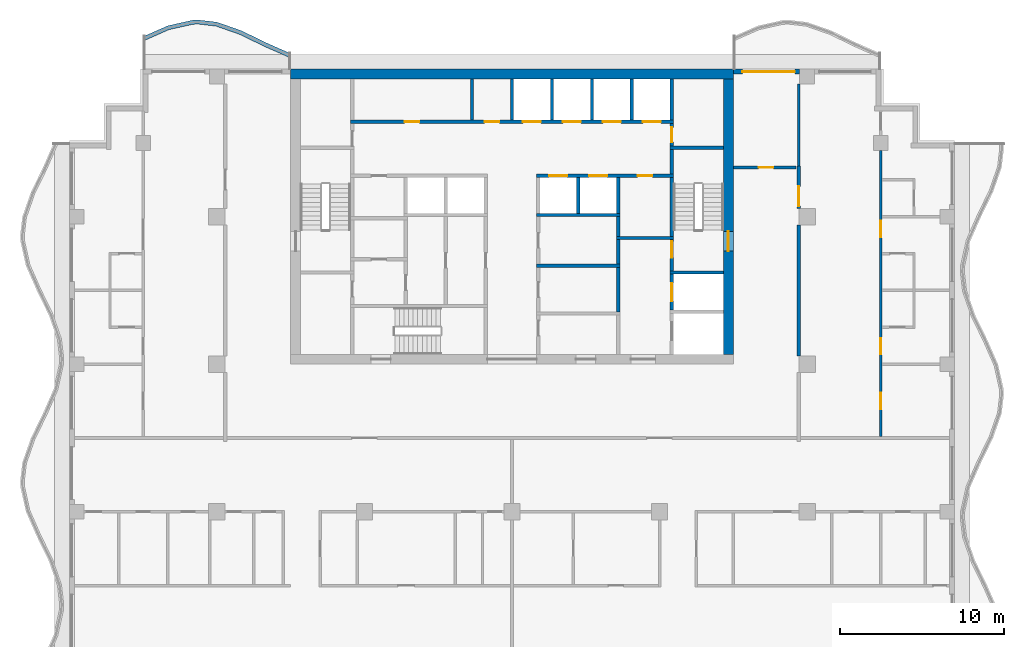
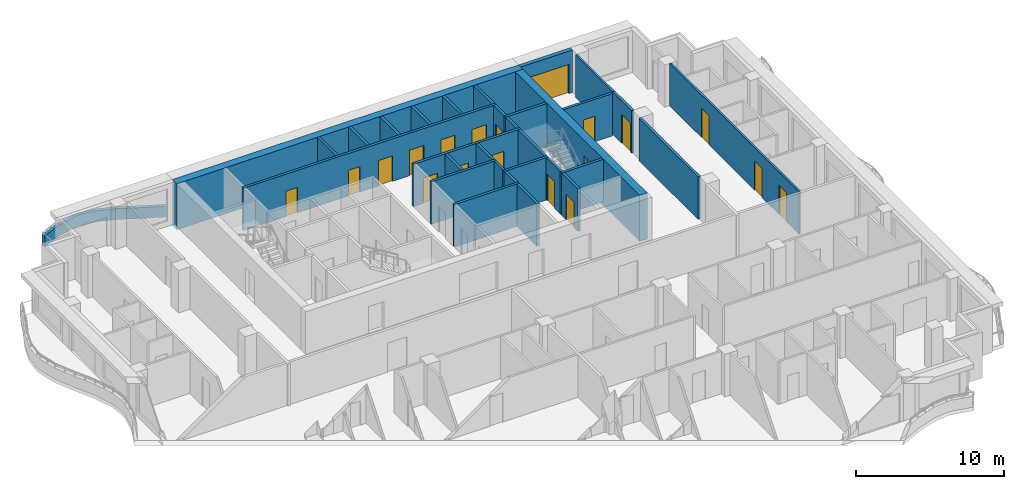
# One storey, part 6 of 11: 32 walls, 19 doors, 19 openings.
"""IFC4 building model written with IfcOpenShell, lengths in metres."""

from ifc_helpers import new_model, si_unit, direction, frame, frame_2d, origin, place, context, subcontext, project, spatial, polyline, rectangle, outline, extrude, material, layer, layer_set, type_object, element, fill, save


model = new_model("IFC4")

# Units and contexts
model_context = context("Model", 3, precision=1e-05, world=origin(), true_north=direction((0.0, 1.0)))
body_context = subcontext(model_context, "Body", "Model", "MODEL_VIEW")
ifc_project = project(units=[si_unit("LENGTHUNIT", "METRE"), si_unit("AREAUNIT", "SQUARE_METRE"), si_unit("VOLUMEUNIT", "CUBIC_METRE"), si_unit("PLANEANGLEUNIT", "RADIAN"), si_unit("MASSUNIT", "GRAM", prefix="KILO")], contexts=[model_context])

# Site, building, storey
site_placement = place(None, origin())
site = spatial("IfcSite", under=ifc_project, at=site_placement, CompositionType="ELEMENT")
building_placement = place(site_placement, origin())
building = spatial("IfcBuilding", under=site, at=building_placement, Name="Orbiselva Terraces", CompositionType="ELEMENT")
storey_placement = place(building_placement, frame((0.0, 0.0, 238.8)))
storey = spatial("IfcBuildingStorey", under=building, at=storey_placement, Name="L60", CompositionType="ELEMENT", Elevation=238.8)

# Wall, opening, door
ifc_material_1 = material(Name="Concrete C80/95", Category="concrete")
ifc_layer_1 = layer(ifc_material_1, 0.6)
ifc_layer_set_1 = layer_set([ifc_layer_1], Name="Concrete C80/95")
wall_type_1 = type_object("IfcWallType", Name="CORE WALL 600", PredefinedType="SHEAR", material=ifc_layer_set_1)
wall_1_placement = place(storey_placement, frame((13.2, 5.1, -0.3), z_axis=(0.0, 0.0, 1.0), x_axis=(0.0, 1.0, 0.0)))
wall_1 = element("IfcWall", 1, at=wall_1_placement, inside=storey, type_object=wall_type_1, Name="Core wall L60 east", PredefinedType="SHEAR", context=body_context, shape_type="SweptSolid", body=[
    extrude(rectangle(XDim=16.8, YDim=0.6, at=frame_2d((8.4, 0.0))), origin(), (0.0, 0.0, 1.0), 3.8),
])
opening_1_placement = place(wall_1_placement, frame((6.3, 0.0, 0.3)))
opening_1 = element("IfcOpeningElement", 2, at=opening_1_placement, cuts=wall_1, Name="Opening DS1200", PredefinedType="OPENING", context=body_context, shape_type="SweptSolid", body=[
    extrude(rectangle(XDim=1.2, YDim=2.2, at=frame_2d((0.6, 1.1))), frame((0.0, 0.31, 0.0), z_axis=(0.0, -1.0, 0.0), x_axis=(1.0, 0.0, 0.0)), (0.0, 0.0, 1.0), 0.62),
])
ifc_material_2 = material(Name="Steel fire door", Category="steel")
door_type_1 = type_object("IfcDoorType", Name="STAIR DOOR 1200", OperationType="NOTDEFINED", PredefinedType="DOOR", material=ifc_material_2)
door_1_placement = place(opening_1_placement, frame((1.2, 0.0, 0.0), z_axis=(0.0, 0.0, 1.0), x_axis=(-1.0, 0.0, 0.0)))
door_1 = element("IfcDoor", 3, at=door_1_placement, inside=storey, type_object=door_type_1, Name="L60 EXIT STAIR S2 door", OperationType="SINGLE_SWING_LEFT", OverallHeight=2.2, OverallWidth=1.2, PredefinedType="DOOR", context=body_context, shape_type="SweptSolid", body=[
    extrude(rectangle(XDim=1.2, YDim=2.2, at=frame_2d((0.6, 1.1))), frame((0.0, 0.025, 0.0), z_axis=(0.0, -1.0, 0.0), x_axis=(1.0, 0.0, 0.0)), (0.0, 0.0, 1.0), 0.05),
])
fill(opening_1, door_1)

# Walls
ifc_layer_2 = layer(ifc_material_1, 0.6)
ifc_layer_set_2 = layer_set([ifc_layer_2], Name="Concrete C80/95")
wall_type_2 = type_object("IfcWallType", Name="CORE WALL 600 EXTERNAL", PredefinedType="SHEAR", material=ifc_layer_set_2)
wall_2_placement = place(storey_placement, frame((13.5, 22.2, -0.3), z_axis=(0.0, 0.0, 1.0), x_axis=(-1.0, 0.0, 0.0)))
element("IfcWall", 4, at=wall_2_placement, inside=storey, type_object=wall_type_2, Name="Core wall L60 north", PredefinedType="SHEAR", context=body_context, shape_type="SweptSolid", body=[
    extrude(rectangle(XDim=27.0, YDim=0.6, at=frame_2d((13.5, 0.0))), origin(), (0.0, 0.0, 1.0), 3.8),
])
ifc_material_3 = material(Name="Masonry blockwork", Category="masonry")
ifc_layer_3 = layer(ifc_material_3, 0.2)
ifc_layer_set_3 = layer_set([ifc_layer_3], Name="Masonry blockwork")
wall_type_3 = type_object("IfcWallType", Name="CORE-WALL-PARTITION-200", PredefinedType="PARTITIONING", material=ifc_layer_set_3)
wall_3_placement = place(storey_placement, frame((-2.4375, 19.4, 0.0), z_axis=(0.0, 0.0, 1.0), x_axis=(0.0, 1.0, 0.0)))
element("IfcWall", 5, at=wall_3_placement, inside=storey, type_object=wall_type_3, Name="L60 core wall 22", PredefinedType="PARTITIONING", context=body_context, shape_type="SweptSolid", body=[
    extrude(rectangle(XDim=2.5, YDim=0.2, at=frame_2d((1.25, 0.0))), origin(), (0.0, 0.0, 1.0), 3.5),
])
wall_4_placement = place(storey_placement, frame((6.475, 12.3, 0.0), z_axis=(0.0, 0.0, 1.0), x_axis=(0.0, 1.0, 0.0)))
element("IfcWall", 6, at=wall_4_placement, inside=storey, type_object=wall_type_3, Name="L60 core wall 42", PredefinedType="PARTITIONING", context=body_context, shape_type="SweptSolid", body=[
    extrude(rectangle(XDim=1.2, YDim=0.2, at=frame_2d((0.6, 0.0))), origin(), (0.0, 0.0, 1.0), 3.5),
])

# Wall, opening, door
wall_5_placement = place(storey_placement, frame((9.75, 19.2, 0.0), z_axis=(0.0, 0.0, 1.0), x_axis=(0.0, -1.0, 0.0)))
wall_5 = element("IfcWall", 7, at=wall_5_placement, inside=storey, type_object=wall_type_3, Name="L60 core wall 53", PredefinedType="PARTITIONING", context=body_context, shape_type="SweptSolid", body=[
    extrude(rectangle(XDim=1.4, YDim=0.2, at=frame_2d((0.7, 0.0))), origin(), (0.0, 0.0, 1.0), 3.5),
])
opening_2_placement = place(wall_5_placement, frame((0.25, 0.0, 0.0)))
opening_2 = element("IfcOpeningElement", 8, at=opening_2_placement, cuts=wall_5, Name="Opening DR900", PredefinedType="OPENING", context=body_context, shape_type="SweptSolid", body=[
    extrude(rectangle(XDim=0.9, YDim=2.1, at=frame_2d((0.45, 1.05))), frame((0.0, 0.11, 0.0), z_axis=(0.0, -1.0, 0.0), x_axis=(1.0, 0.0, 0.0)), (0.0, 0.0, 1.0), 0.22),
])
door_type_2 = type_object("IfcDoorType", Name="ROOM DOOR 900", OperationType="NOTDEFINED", PredefinedType="DOOR", material=ifc_material_2)
door_2_placement = place(opening_2_placement, origin())
door_2 = element("IfcDoor", 9, at=door_2_placement, inside=storey, type_object=door_type_2, Name="L60 ELECTRICAL RISER ROOM door", OperationType="SINGLE_SWING_RIGHT", OverallHeight=2.1, OverallWidth=0.9, PredefinedType="DOOR", context=body_context, shape_type="SweptSolid", body=[
    extrude(rectangle(XDim=0.9, YDim=2.1, at=frame_2d((0.45, 1.05))), frame((0.0, 0.025, 0.0), z_axis=(0.0, -1.0, 0.0), x_axis=(1.0, 0.0, 0.0)), (0.0, 0.0, 1.0), 0.05),
])
fill(opening_2, door_2)

# Walls
ifc_material_4 = material(Name="Concrete C40/50", Category="concrete")
ifc_layer_4 = layer(ifc_material_4, 0.2)
ifc_layer_set_4 = layer_set([ifc_layer_4], Name="Concrete C40/50")
wall_type_4 = type_object("IfcWallType", Name="CORE-WALL-SHAFT-200", PredefinedType="PARTITIONING", material=ifc_layer_set_4)
for number, where, z_axis, x_axis, name in (
    (10, (0.0, 19.4, 0.0), (0.0, 0.0, 1.0), (0.0, 1.0, 0.0), "L60 core wall 26"),
    (11, (2.4375, 19.4, 0.0), (0.0, 0.0, 1.0), (0.0, 1.0, 0.0), "L60 core wall 35"),
):
    element("IfcWall", number, at=place(storey_placement, frame(where, z_axis=z_axis, x_axis=x_axis)), inside=storey, type_object=wall_type_4, Name=name, PredefinedType="PARTITIONING", context=body_context, shape_type="SweptSolid", body=[
        extrude(rectangle(XDim=2.5, YDim=0.2, at=frame_2d((1.25, 0.0))), origin(), (0.0, 0.0, 1.0), 3.5),
    ])
wall_6_placement = place(storey_placement, frame((4.0375, 13.7, 0.0), z_axis=(0.0, 0.0, 1.0), x_axis=(0.0, 1.0, 0.0)))
element("IfcWall", 12, at=wall_6_placement, inside=storey, type_object=wall_type_4, Name="L60 core wall 36", PredefinedType="PARTITIONING", context=body_context, shape_type="SweptSolid", body=[
    extrude(rectangle(XDim=2.2, YDim=0.2, at=frame_2d((1.1, 0.0))), origin(), (0.0, 0.0, 1.0), 3.5),
])
wall_7_placement = place(storey_placement, frame((4.875, 19.4, 0.0), z_axis=(0.0, 0.0, 1.0), x_axis=(0.0, 1.0, 0.0)))
element("IfcWall", 13, at=wall_7_placement, inside=storey, type_object=wall_type_4, Name="L60 core wall 37", PredefinedType="PARTITIONING", context=body_context, shape_type="SweptSolid", body=[
    extrude(rectangle(XDim=2.5, YDim=0.2, at=frame_2d((1.25, 0.0))), origin(), (0.0, 0.0, 1.0), 3.5),
])
wall_8_placement = place(storey_placement, frame((6.475, 13.7, 0.0), z_axis=(0.0, 0.0, 1.0), x_axis=(0.0, 1.0, 0.0)))
element("IfcWall", 14, at=wall_8_placement, inside=storey, type_object=wall_type_4, Name="L60 core wall 43", PredefinedType="PARTITIONING", context=body_context, shape_type="SweptSolid", body=[
    extrude(rectangle(XDim=2.2, YDim=0.2, at=frame_2d((1.1, 0.0))), origin(), (0.0, 0.0, 1.0), 3.5),
])
for number, where, z_axis, x_axis, name in (
    (15, (7.3125, 19.4, 0.0), (0.0, 0.0, 1.0), (0.0, 1.0, 0.0), "L60 core wall 44"),
    (16, (9.75, 19.4, 0.0), (0.0, 0.0, 1.0), (0.0, 1.0, 0.0), "L60 core wall 54"),
):
    element("IfcWall", number, at=place(storey_placement, frame(where, z_axis=z_axis, x_axis=x_axis)), inside=storey, type_object=wall_type_4, Name=name, PredefinedType="PARTITIONING", context=body_context, shape_type="SweptSolid", body=[
        extrude(rectangle(XDim=2.5, YDim=0.2, at=frame_2d((1.25, 0.0))), origin(), (0.0, 0.0, 1.0), 3.5),
    ])

# Wall, openings, doors
ifc_material_5 = material(Name="Concrete C60/75", Category="concrete")
ifc_layer_5 = layer(ifc_material_5, 0.2)
ifc_layer_set_5 = layer_set([ifc_layer_5], Name="Concrete C60/75")
wall_type_5 = type_object("IfcWallType", Name="CORE-WALL-SHEAR-200", PredefinedType="SHEAR", material=ifc_layer_set_5)
wall_9_placement = place(storey_placement, frame((-9.85, 19.3, 0.0), z_axis=(0.0, 0.0, 1.0), x_axis=(1.0, 0.0, 0.0)))
wall_9 = element("IfcWall", 17, at=wall_9_placement, inside=storey, type_object=wall_type_5, Name="L60 core wall 14", PredefinedType="SHEAR", context=body_context, shape_type="SweptSolid", body=[
    extrude(rectangle(XDim=19.7, YDim=0.2, at=frame_2d((9.85, 0.0))), origin(), (0.0, 0.0, 1.0), 3.5),
])
opening_3_placement = place(wall_9_placement, frame((10.51875, 0.0, 0.0)))
opening_3 = element("IfcOpeningElement", 18, at=opening_3_placement, cuts=wall_9, Name="Opening LD-HR1", PredefinedType="OPENING", context=body_context, shape_type="SweptSolid", body=[
    extrude(rectangle(XDim=1.1, YDim=2.1, at=frame_2d((0.55, 1.05))), frame((0.0, 0.11, 0.0), z_axis=(0.0, -1.0, 0.0), x_axis=(1.0, 0.0, 0.0)), (0.0, 0.0, 1.0), 0.22),
])
opening_4_placement = place(wall_9_placement, frame((12.95625, 0.0, 0.0)))
opening_4 = element("IfcOpeningElement", 19, at=opening_4_placement, cuts=wall_9, Name="Opening LD-HR2", PredefinedType="OPENING", context=body_context, shape_type="SweptSolid", body=[
    extrude(rectangle(XDim=1.1, YDim=2.1, at=frame_2d((0.55, 1.05))), frame((0.0, 0.11, 0.0), z_axis=(0.0, -1.0, 0.0), x_axis=(1.0, 0.0, 0.0)), (0.0, 0.0, 1.0), 0.22),
])
opening_5_placement = place(wall_9_placement, frame((15.39375, 0.0, 0.0)))
opening_5 = element("IfcOpeningElement", 20, at=opening_5_placement, cuts=wall_9, Name="Opening LD-HR3", PredefinedType="OPENING", context=body_context, shape_type="SweptSolid", body=[
    extrude(rectangle(XDim=1.1, YDim=2.1, at=frame_2d((0.55, 1.05))), frame((0.0, 0.11, 0.0), z_axis=(0.0, -1.0, 0.0), x_axis=(1.0, 0.0, 0.0)), (0.0, 0.0, 1.0), 0.22),
])
opening_6_placement = place(wall_9_placement, frame((17.83125, 0.0, 0.0)))
opening_6 = element("IfcOpeningElement", 21, at=opening_6_placement, cuts=wall_9, Name="Opening LD-HR4", PredefinedType="OPENING", context=body_context, shape_type="SweptSolid", body=[
    extrude(rectangle(XDim=1.1, YDim=2.1, at=frame_2d((0.55, 1.05))), frame((0.0, 0.11, 0.0), z_axis=(0.0, -1.0, 0.0), x_axis=(1.0, 0.0, 0.0)), (0.0, 0.0, 1.0), 0.22),
])
opening_7_placement = place(wall_9_placement, frame((3.3062, 0.0, 0.0)))
opening_7 = element("IfcOpeningElement", 22, at=opening_7_placement, cuts=wall_9, Name="Opening DR900", PredefinedType="OPENING", context=body_context, shape_type="SweptSolid", body=[
    extrude(rectangle(XDim=0.9, YDim=2.1, at=frame_2d((0.45, 1.05))), frame((0.0, 0.11, 0.0), z_axis=(0.0, -1.0, 0.0), x_axis=(1.0, 0.0, 0.0)), (0.0, 0.0, 1.0), 0.22),
])
opening_8_placement = place(wall_9_placement, frame((8.1812, 0.0, 0.0)))
opening_8 = element("IfcOpeningElement", 23, at=opening_8_placement, cuts=wall_9, Name="Opening DR900", PredefinedType="OPENING", context=body_context, shape_type="SweptSolid", body=[
    extrude(rectangle(XDim=0.9, YDim=2.1, at=frame_2d((0.45, 1.05))), frame((0.0, 0.11, 0.0), z_axis=(0.0, -1.0, 0.0), x_axis=(1.0, 0.0, 0.0)), (0.0, 0.0, 1.0), 0.22),
])
ifc_material_6 = material(Name="Stainless steel landing door", Category="steel")
door_type_3 = type_object("IfcDoorType", Name="LANDING DOOR 1100", OperationType="SLIDING_TO_LEFT", PredefinedType="DOOR", material=ifc_material_6)
door_3_placement = place(opening_3_placement, origin())
door_3 = element("IfcDoor", 24, at=door_3_placement, inside=storey, type_object=door_type_3, Name="L60 landing door HR1", OperationType="SLIDING_TO_RIGHT", OverallHeight=2.1, OverallWidth=1.1, PredefinedType="DOOR", context=body_context, shape_type="SweptSolid", body=[
    extrude(rectangle(XDim=1.1, YDim=2.1, at=frame_2d((0.55, 1.05))), frame((0.0, 0.025, 0.0), z_axis=(0.0, -1.0, 0.0), x_axis=(1.0, 0.0, 0.0)), (0.0, 0.0, 1.0), 0.05),
])
fill(opening_3, door_3)
door_4_placement = place(opening_4_placement, origin())
door_4 = element("IfcDoor", 25, at=door_4_placement, inside=storey, type_object=door_type_3, Name="L60 landing door HR2", OperationType="SLIDING_TO_RIGHT", OverallHeight=2.1, OverallWidth=1.1, PredefinedType="DOOR", context=body_context, shape_type="SweptSolid", body=[
    extrude(rectangle(XDim=1.1, YDim=2.1, at=frame_2d((0.55, 1.05))), frame((0.0, 0.025, 0.0), z_axis=(0.0, -1.0, 0.0), x_axis=(1.0, 0.0, 0.0)), (0.0, 0.0, 1.0), 0.05),
])
fill(opening_4, door_4)
door_5_placement = place(opening_5_placement, origin())
door_5 = element("IfcDoor", 26, at=door_5_placement, inside=storey, type_object=door_type_3, Name="L60 landing door HR3", OperationType="SLIDING_TO_RIGHT", OverallHeight=2.1, OverallWidth=1.1, PredefinedType="DOOR", context=body_context, shape_type="SweptSolid", body=[
    extrude(rectangle(XDim=1.1, YDim=2.1, at=frame_2d((0.55, 1.05))), frame((0.0, 0.025, 0.0), z_axis=(0.0, -1.0, 0.0), x_axis=(1.0, 0.0, 0.0)), (0.0, 0.0, 1.0), 0.05),
])
fill(opening_5, door_5)
door_6_placement = place(opening_6_placement, origin())
door_6 = element("IfcDoor", 27, at=door_6_placement, inside=storey, type_object=door_type_3, Name="L60 landing door HR4", OperationType="SLIDING_TO_RIGHT", OverallHeight=2.1, OverallWidth=1.1, PredefinedType="DOOR", context=body_context, shape_type="SweptSolid", body=[
    extrude(rectangle(XDim=1.1, YDim=2.1, at=frame_2d((0.55, 1.05))), frame((0.0, 0.025, 0.0), z_axis=(0.0, -1.0, 0.0), x_axis=(1.0, 0.0, 0.0)), (0.0, 0.0, 1.0), 0.05),
])
fill(opening_6, door_6)
door_7_placement = place(opening_7_placement, origin())
door_7 = element("IfcDoor", 28, at=door_7_placement, inside=storey, type_object=door_type_2, Name="L60 SERVICE LOUNGE door", OperationType="SINGLE_SWING_LEFT", OverallHeight=2.1, OverallWidth=0.9, PredefinedType="DOOR", context=body_context, shape_type="SweptSolid", body=[
    extrude(rectangle(XDim=0.9, YDim=2.1, at=frame_2d((0.45, 1.05))), frame((0.0, 0.025, 0.0), z_axis=(0.0, -1.0, 0.0), x_axis=(1.0, 0.0, 0.0)), (0.0, 0.0, 1.0), 0.05),
])
fill(opening_7, door_7)
door_8_placement = place(opening_8_placement, origin())
door_8 = element("IfcDoor", 29, at=door_8_placement, inside=storey, type_object=door_type_2, Name="L60 STAFF WC door", OperationType="SINGLE_SWING_LEFT", OverallHeight=2.1, OverallWidth=0.9, PredefinedType="DOOR", context=body_context, shape_type="SweptSolid", body=[
    extrude(rectangle(XDim=0.9, YDim=2.1, at=frame_2d((0.45, 1.05))), frame((0.0, 0.025, 0.0), z_axis=(0.0, -1.0, 0.0), x_axis=(1.0, 0.0, 0.0)), (0.0, 0.0, 1.0), 0.05),
])
fill(opening_8, door_8)

# Walls
for number, where, z_axis, x_axis, name in (
    (30, (1.5, 10.5, 0.0), (0.0, 0.0, 1.0), (1.0, 0.0, 0.0), "L60 core wall 30"),
    (31, (1.5, 13.6, 0.0), (0.0, 0.0, 1.0), (1.0, 0.0, 0.0), "L60 core wall 32"),
):
    element("IfcWall", number, at=place(storey_placement, frame(where, z_axis=z_axis, x_axis=x_axis)), inside=storey, type_object=wall_type_5, Name=name, PredefinedType="SHEAR", context=body_context, shape_type="SweptSolid", body=[
        extrude(rectangle(XDim=5.075, YDim=0.2, at=frame_2d((2.5375, 0.0))), origin(), (0.0, 0.0, 1.0), 3.5),
    ])

# Wall, openings, doors
wall_10_placement = place(storey_placement, frame((9.85, 16.0, 0.0), z_axis=(0.0, 0.0, 1.0), x_axis=(-1.0, 0.0, 0.0)))
wall_10 = element("IfcWall", 32, at=wall_10_placement, inside=storey, type_object=wall_type_5, Name="L60 core wall 34", PredefinedType="SHEAR", context=body_context, shape_type="SweptSolid", body=[
    extrude(rectangle(XDim=8.35, YDim=0.2, at=frame_2d((4.175, 0.0))), origin(), (0.0, 0.0, 1.0), 3.5),
])
opening_9_placement = place(wall_10_placement, frame((6.48125, 0.0, 0.0)))
opening_9 = element("IfcOpeningElement", 33, at=opening_9_placement, cuts=wall_10, Name="Opening LD-HR5", PredefinedType="OPENING", context=body_context, shape_type="SweptSolid", body=[
    extrude(rectangle(XDim=1.1, YDim=2.1, at=frame_2d((0.55, 1.05))), frame((0.0, 0.11, 0.0), z_axis=(0.0, -1.0, 0.0), x_axis=(1.0, 0.0, 0.0)), (0.0, 0.0, 1.0), 0.22),
])
opening_10_placement = place(wall_10_placement, frame((4.04375, 0.0, 0.0)))
opening_10 = element("IfcOpeningElement", 34, at=opening_10_placement, cuts=wall_10, Name="Opening LD-HR6", PredefinedType="OPENING", context=body_context, shape_type="SweptSolid", body=[
    extrude(rectangle(XDim=1.1, YDim=2.1, at=frame_2d((0.55, 1.05))), frame((0.0, 0.11, 0.0), z_axis=(0.0, -1.0, 0.0), x_axis=(1.0, 0.0, 0.0)), (0.0, 0.0, 1.0), 0.22),
])
opening_11_placement = place(wall_10_placement, frame((1.2875, 0.0, 0.0)))
opening_11 = element("IfcOpeningElement", 35, at=opening_11_placement, cuts=wall_10, Name="Opening DR900", PredefinedType="OPENING", context=body_context, shape_type="SweptSolid", body=[
    extrude(rectangle(XDim=0.9, YDim=2.1, at=frame_2d((0.45, 1.05))), frame((0.0, 0.11, 0.0), z_axis=(0.0, -1.0, 0.0), x_axis=(1.0, 0.0, 0.0)), (0.0, 0.0, 1.0), 0.22),
])
door_9_placement = place(opening_9_placement, origin())
door_9 = element("IfcDoor", 36, at=door_9_placement, inside=storey, type_object=door_type_3, Name="L60 landing door HR5", OperationType="SLIDING_TO_RIGHT", OverallHeight=2.1, OverallWidth=1.1, PredefinedType="DOOR", context=body_context, shape_type="SweptSolid", body=[
    extrude(rectangle(XDim=1.1, YDim=2.1, at=frame_2d((0.55, 1.05))), frame((0.0, 0.025, 0.0), z_axis=(0.0, -1.0, 0.0), x_axis=(1.0, 0.0, 0.0)), (0.0, 0.0, 1.0), 0.05),
])
fill(opening_9, door_9)
door_10_placement = place(opening_10_placement, origin())
door_10 = element("IfcDoor", 37, at=door_10_placement, inside=storey, type_object=door_type_3, Name="L60 landing door HR6", OperationType="SLIDING_TO_RIGHT", OverallHeight=2.1, OverallWidth=1.1, PredefinedType="DOOR", context=body_context, shape_type="SweptSolid", body=[
    extrude(rectangle(XDim=1.1, YDim=2.1, at=frame_2d((0.55, 1.05))), frame((0.0, 0.025, 0.0), z_axis=(0.0, -1.0, 0.0), x_axis=(1.0, 0.0, 0.0)), (0.0, 0.0, 1.0), 0.05),
])
fill(opening_10, door_10)
door_11_placement = place(opening_11_placement, origin())
door_11 = element("IfcDoor", 38, at=door_11_placement, inside=storey, type_object=door_type_2, Name="L60 PIPE RISER ROOM door", OperationType="SINGLE_SWING_LEFT", OverallHeight=2.1, OverallWidth=0.9, PredefinedType="DOOR", context=body_context, shape_type="SweptSolid", body=[
    extrude(rectangle(XDim=0.9, YDim=2.1, at=frame_2d((0.45, 1.05))), frame((0.0, 0.025, 0.0), z_axis=(0.0, -1.0, 0.0), x_axis=(1.0, 0.0, 0.0)), (0.0, 0.0, 1.0), 0.05),
])
fill(opening_11, door_11)

# Walls
wall_11_placement = place(storey_placement, frame((6.475, 7.7, 0.0), z_axis=(0.0, 0.0, 1.0), x_axis=(0.0, 1.0, 0.0)))
element("IfcWall", 39, at=wall_11_placement, inside=storey, type_object=wall_type_5, Name="L60 core wall 39", PredefinedType="SHEAR", context=body_context, shape_type="SweptSolid", body=[
    extrude(rectangle(XDim=2.7, YDim=0.2, at=frame_2d((1.35, 0.0))), origin(), (0.0, 0.0, 1.0), 3.5),
])
wall_12_placement = place(storey_placement, frame((6.475, 10.6, 0.0), z_axis=(0.0, 0.0, 1.0), x_axis=(0.0, 1.0, 0.0)))
element("IfcWall", 40, at=wall_12_placement, inside=storey, type_object=wall_type_5, Name="L60 core wall 40", PredefinedType="SHEAR", context=body_context, shape_type="SweptSolid", body=[
    extrude(rectangle(XDim=1.5, YDim=0.2, at=frame_2d((0.75, 0.0))), origin(), (0.0, 0.0, 1.0), 3.5),
])
wall_13_placement = place(storey_placement, frame((6.375, 12.2, 0.0), z_axis=(0.0, 0.0, 1.0), x_axis=(1.0, 0.0, 0.0)))
element("IfcWall", 41, at=wall_13_placement, inside=storey, type_object=wall_type_5, Name="L60 core wall 41", PredefinedType="SHEAR", context=body_context, shape_type="SweptSolid", body=[
    extrude(rectangle(XDim=3.475, YDim=0.2, at=frame_2d((1.7375, 0.0))), origin(), (0.0, 0.0, 1.0), 3.5),
])

# Wall, opening, door
wall_14_placement = place(storey_placement, frame((9.75, 7.8, 0.0), z_axis=(0.0, 0.0, 1.0), x_axis=(0.0, 1.0, 0.0)))
wall_14 = element("IfcWall", 42, at=wall_14_placement, inside=storey, type_object=wall_type_5, Name="L60 core wall 47", PredefinedType="SHEAR", context=body_context, shape_type="SweptSolid", body=[
    extrude(rectangle(XDim=2.2, YDim=0.2, at=frame_2d((1.1, 0.0))), origin(), (0.0, 0.0, 1.0), 3.5),
])
opening_12_placement = place(wall_14_placement, frame((0.55, 0.0, 0.0)))
opening_12 = element("IfcOpeningElement", 43, at=opening_12_placement, cuts=wall_14, Name="Opening LD-FF2", PredefinedType="OPENING", context=body_context, shape_type="SweptSolid", body=[
    extrude(rectangle(XDim=1.1, YDim=2.1, at=frame_2d((0.55, 1.05))), frame((0.0, 0.11, 0.0), z_axis=(0.0, -1.0, 0.0), x_axis=(1.0, 0.0, 0.0)), (0.0, 0.0, 1.0), 0.22),
])
door_12_placement = place(opening_12_placement, origin())
door_12 = element("IfcDoor", 44, at=door_12_placement, inside=storey, type_object=door_type_3, Name="L60 landing door FF2", OperationType="SLIDING_TO_RIGHT", OverallHeight=2.1, OverallWidth=1.1, PredefinedType="DOOR", context=body_context, shape_type="SweptSolid", body=[
    extrude(rectangle(XDim=1.1, YDim=2.1, at=frame_2d((0.55, 1.05))), frame((0.0, 0.025, 0.0), z_axis=(0.0, -1.0, 0.0), x_axis=(1.0, 0.0, 0.0)), (0.0, 0.0, 1.0), 0.05),
])
fill(opening_12, door_12)

# Wall
wall_15_placement = place(storey_placement, frame((9.65, 10.1, 0.0), z_axis=(0.0, 0.0, 1.0), x_axis=(1.0, 0.0, 0.0)))
element("IfcWall", 45, at=wall_15_placement, inside=storey, type_object=wall_type_5, Name="L60 core wall 48", PredefinedType="SHEAR", context=body_context, shape_type="SweptSolid", body=[
    extrude(rectangle(XDim=3.25, YDim=0.2, at=frame_2d((1.625, 0.0))), origin(), (0.0, 0.0, 1.0), 3.5),
])

# Wall, opening, door
wall_16_placement = place(storey_placement, frame((9.75, 12.1, 0.0), z_axis=(0.0, 0.0, 1.0), x_axis=(0.0, -1.0, 0.0)))
wall_16 = element("IfcWall", 46, at=wall_16_placement, inside=storey, type_object=wall_type_5, Name="L60 core wall 49", PredefinedType="SHEAR", context=body_context, shape_type="SweptSolid", body=[
    extrude(rectangle(XDim=1.9, YDim=0.2, at=frame_2d((0.95, 0.0))), origin(), (0.0, 0.0, 1.0), 3.5),
])
opening_13_placement = place(wall_16_placement, frame((0.1, 0.0, 0.0)))
opening_13 = element("IfcOpeningElement", 47, at=opening_13_placement, cuts=wall_16, Name="Opening DS1000", PredefinedType="OPENING", context=body_context, shape_type="SweptSolid", body=[
    extrude(rectangle(XDim=1.0, YDim=2.2, at=frame_2d((0.5, 1.1))), frame((0.0, 0.11, 0.0), z_axis=(0.0, -1.0, 0.0), x_axis=(1.0, 0.0, 0.0)), (0.0, 0.0, 1.0), 0.22),
])
door_type_4 = type_object("IfcDoorType", Name="STAIR DOOR 1000", OperationType="NOTDEFINED", PredefinedType="DOOR", material=ifc_material_2)
door_13_placement = place(opening_13_placement, origin())
door_13 = element("IfcDoor", 48, at=door_13_placement, inside=storey, type_object=door_type_4, Name="L60 FIRE-FIGHTING LOBBY TO EXIT STAIR S2 door", OperationType="SINGLE_SWING_LEFT", OverallHeight=2.2, OverallWidth=1.0, PredefinedType="DOOR", context=body_context, shape_type="SweptSolid", body=[
    extrude(rectangle(XDim=1.0, YDim=2.2, at=frame_2d((0.5, 1.1))), frame((0.0, 0.025, 0.0), z_axis=(0.0, -1.0, 0.0), x_axis=(1.0, 0.0, 0.0)), (0.0, 0.0, 1.0), 0.05),
])
fill(opening_13, door_13)

# Walls
wall_17_placement = place(storey_placement, frame((9.75, 12.3, 0.0), z_axis=(0.0, 0.0, 1.0), x_axis=(0.0, 1.0, 0.0)))
element("IfcWall", 49, at=wall_17_placement, inside=storey, type_object=wall_type_5, Name="L60 core wall 50", PredefinedType="SHEAR", context=body_context, shape_type="SweptSolid", body=[
    extrude(rectangle(XDim=3.6, YDim=0.2, at=frame_2d((1.8, 0.0))), origin(), (0.0, 0.0, 1.0), 3.5),
])
wall_18_placement = place(storey_placement, frame((9.75, 16.1, 0.0), z_axis=(0.0, 0.0, 1.0), x_axis=(0.0, 1.0, 0.0)))
element("IfcWall", 50, at=wall_18_placement, inside=storey, type_object=wall_type_5, Name="L60 core wall 51", PredefinedType="SHEAR", context=body_context, shape_type="SweptSolid", body=[
    extrude(rectangle(XDim=1.5, YDim=0.2, at=frame_2d((0.75, 0.0))), origin(), (0.0, 0.0, 1.0), 3.5),
])
wall_19_placement = place(storey_placement, frame((9.65, 17.7, 0.0), z_axis=(0.0, 0.0, 1.0), x_axis=(1.0, 0.0, 0.0)))
element("IfcWall", 51, at=wall_19_placement, inside=storey, type_object=wall_type_5, Name="L60 core wall 52", PredefinedType="SHEAR", context=body_context, shape_type="SweptSolid", body=[
    extrude(rectangle(XDim=3.25, YDim=0.2, at=frame_2d((1.625, 0.0))), origin(), (0.0, 0.0, 1.0), 3.5),
])
ifc_layer_6 = layer(ifc_material_4, 0.25)
ifc_layer_set_6 = layer_set([ifc_layer_6], Name="Concrete C40/50")
wall_type_6 = type_object("IfcWallType", Name="ENV-PLANTER-250x900", PredefinedType="USERDEFINED", material=ifc_layer_set_6)
wall_20_placement = place(storey_placement, origin())
element("IfcWall", 52, at=wall_20_placement, inside=storey, type_object=wall_type_6, Name="Balcony planter L60 NW", ObjectType="PLANTER", PredefinedType="USERDEFINED", context=body_context, shape_type="SweptSolid", body=[
    extrude(outline(polyline([(-13.5, 23.451472), (-15.0, 24.112279), (-16.5, 24.844789), (-18.0, 25.369208), (-19.125, 25.5), (-19.5, 25.485226), (-21.0, 25.148528), (-22.5, 24.487721), (-22.399212, 24.258938), (-20.921492, 24.90993), (-19.467435, 25.236315), (-19.134572, 25.249429), (-18.056371, 25.124078), (-16.59644, 24.613667), (-15.105286, 23.885477), (-13.600788, 23.222689), (-13.5, 23.451472)])), origin(), (0.0, 0.0, 1.0), 0.9),
])

# Wall, opening, door
ifc_material_7 = material(Name="Terracotta cladding on masonry backing", Category="masonry")
ifc_layer_7 = layer(ifc_material_7, 0.3)
ifc_layer_set_7 = layer_set([ifc_layer_7], Name="Terracotta cladding on masonry backing")
wall_type_7 = type_object("IfcWallType", Name="ENV-WALL-TERRACOTTA-300", PredefinedType="SOLIDWALL", material=ifc_layer_set_7)
wall_21_placement = place(storey_placement, frame((13.5, 22.35, 0.0), z_axis=(0.0, 0.0, 1.0), x_axis=(1.0, 0.0, 0.0)))
wall_21 = element("IfcWall", 53, at=wall_21_placement, inside=storey, type_object=wall_type_7, Name="Facade wall L60 NE", PredefinedType="SOLIDWALL", context=body_context, shape_type="SweptSolid", body=[
    extrude(rectangle(XDim=4.05, YDim=0.3, at=frame_2d((2.025, 0.0))), origin(), (0.0, 0.0, 1.0), 3.5),
])
opening_14_placement = place(wall_21_placement, frame((0.55, 0.0, 0.0)))
opening_14 = element("IfcOpeningElement", 54, at=opening_14_placement, cuts=wall_21, Name="Opening Z5-A-E08", PredefinedType="OPENING", context=body_context, shape_type="SweptSolid", body=[
    extrude(rectangle(XDim=3.2, YDim=2.4, at=frame_2d((1.6, 1.2))), frame((0.0, 0.16, 0.0), z_axis=(0.0, -1.0, 0.0), x_axis=(1.0, 0.0, 0.0)), (0.0, 0.0, 1.0), 0.32),
])
ifc_material_8 = material(Name="Clear low-e glazing in aluminium frame", Category="aluminium")
door_type_5 = type_object("IfcDoorType", Name="BALCONY DOOR 3200 X 2400", OperationType="DOUBLE_DOOR_SLIDING", PredefinedType="DOOR", material=ifc_material_8)
door_14_placement = place(opening_14_placement, origin())
door_14 = element("IfcDoor", 55, at=door_14_placement, inside=storey, type_object=door_type_5, Name="Z5-A-E08", OperationType="SINGLE_SWING_LEFT", OverallHeight=2.4, OverallWidth=3.2, PredefinedType="DOOR", context=body_context, shape_type="SweptSolid", body=[
    extrude(rectangle(XDim=3.2, YDim=2.4, at=frame_2d((1.6, 1.2))), frame((0.0, 0.025, 0.0), z_axis=(0.0, -1.0, 0.0), x_axis=(1.0, 0.0, 0.0)), (0.0, 0.0, 1.0), 0.05),
])
fill(opening_14, door_14)

ifc_material_9 = material(Name="Plasterboard on steel stud partition", Category="steel")
ifc_layer_8 = layer(ifc_material_9, 0.2)
ifc_layer_set_8 = layer_set([ifc_layer_8], Name="Plasterboard on steel stud partition")
wall_type_8 = type_object("IfcWallType", Name="UNIT-ENTRANCE-WALL-200", PredefinedType="PARTITIONING", material=ifc_layer_set_8)
wall_22_placement = place(storey_placement, frame((13.5, 16.5, 0.0), z_axis=(0.0, 0.0, 1.0), x_axis=(1.0, 0.0, 0.0)))
wall_22 = element("IfcWall", 56, at=wall_22_placement, inside=storey, type_object=wall_type_8, Name="PARTITION L60-041", PredefinedType="PARTITIONING", context=body_context, shape_type="SweptSolid", body=[
    extrude(rectangle(XDim=3.825, YDim=0.2, at=frame_2d((1.9125, 0.0))), origin(), (0.0, 0.0, 1.0), 3.5),
])
opening_15_placement = place(wall_22_placement, frame((1.55, 0.0, 0.0)))
opening_15 = element("IfcOpeningElement", 57, at=opening_15_placement, cuts=wall_22, Name="Opening Z5-A-01", PredefinedType="OPENING", context=body_context, shape_type="SweptSolid", body=[
    extrude(rectangle(XDim=0.9, YDim=2.1, at=frame_2d((0.45, 1.05))), frame((0.0, 0.11, 0.0), z_axis=(0.0, -1.0, 0.0), x_axis=(1.0, 0.0, 0.0)), (0.0, 0.0, 1.0), 0.22),
])
ifc_material_10 = material(Name="Painted timber door leaf", Category="wood")
door_type_6 = type_object("IfcDoorType", Name="SERVICE DOOR 900", OperationType="NOTDEFINED", PredefinedType="DOOR", material=ifc_material_10)
door_15_placement = place(opening_15_placement, origin())
door_15 = element("IfcDoor", 58, at=door_15_placement, inside=storey, type_object=door_type_6, Name="Z5-A-01", OperationType="SINGLE_SWING_RIGHT", OverallHeight=2.1, OverallWidth=0.9, PredefinedType="DOOR", context=body_context, shape_type="SweptSolid", body=[
    extrude(rectangle(XDim=0.9, YDim=2.1, at=frame_2d((0.45, 1.05))), frame((0.0, 0.025, 0.0), z_axis=(0.0, -1.0, 0.0), x_axis=(1.0, 0.0, 0.0)), (0.0, 0.0, 1.0), 0.05),
])
fill(opening_15, door_15)

# Wall
wall_23_placement = place(storey_placement, frame((17.5, 5.0, 0.0), z_axis=(0.0, 0.0, 1.0), x_axis=(0.0, 1.0, 0.0)))
element("IfcWall", 59, at=wall_23_placement, inside=storey, type_object=wall_type_8, Name="PARTITION L60-079", PredefinedType="PARTITIONING", context=body_context, shape_type="SweptSolid", body=[
    extrude(rectangle(XDim=8.0, YDim=0.2, at=frame_2d((4.0, 0.0))), origin(), (0.0, 0.0, 1.0), 3.5),
])

# Wall, opening, door
wall_24_placement = place(storey_placement, frame((17.5, 16.6, 0.0), z_axis=(0.0, 0.0, 1.0), x_axis=(0.0, -1.0, 0.0)))
wall_24 = element("IfcWall", 60, at=wall_24_placement, inside=storey, type_object=wall_type_8, Name="PARTITION L60-080", PredefinedType="PARTITIONING", context=body_context, shape_type="SweptSolid", body=[
    extrude(rectangle(XDim=2.6, YDim=0.2, at=frame_2d((1.3, 0.0))), origin(), (0.0, 0.0, 1.0), 3.5),
])
opening_16_placement = place(wall_24_placement, frame((1.25, 0.0, 0.0)))
opening_16 = element("IfcOpeningElement", 61, at=opening_16_placement, cuts=wall_24, Name="Opening Z5-A-08", PredefinedType="OPENING", context=body_context, shape_type="SweptSolid", body=[
    extrude(rectangle(XDim=1.2, YDim=2.4, at=frame_2d((0.6, 1.2))), frame((0.0, 0.11, 0.0), z_axis=(0.0, -1.0, 0.0), x_axis=(1.0, 0.0, 0.0)), (0.0, 0.0, 1.0), 0.22),
])
door_type_7 = type_object("IfcDoorType", Name="ENTRANCE DOOR 1200", OperationType="NOTDEFINED", PredefinedType="DOOR", material=ifc_material_10)
door_16_placement = place(opening_16_placement, origin())
door_16 = element("IfcDoor", 62, at=door_16_placement, inside=storey, type_object=door_type_7, Name="Z5-A-08", OperationType="SINGLE_SWING_RIGHT", OverallHeight=2.4, OverallWidth=1.2, PredefinedType="DOOR", context=body_context, shape_type="SweptSolid", body=[
    extrude(rectangle(XDim=1.2, YDim=2.4, at=frame_2d((0.6, 1.2))), frame((0.0, 0.025, 0.0), z_axis=(0.0, -1.0, 0.0), x_axis=(1.0, 0.0, 0.0)), (0.0, 0.0, 1.0), 0.05),
])
fill(opening_16, door_16)

# Wall
ifc_layer_9 = layer(ifc_material_9, 0.15)
ifc_layer_set_9 = layer_set([ifc_layer_9], Name="Plasterboard on steel stud partition")
wall_type_9 = type_object("IfcWallType", Name="UNIT-PARTITION-150", PredefinedType="PARTITIONING", material=ifc_layer_set_9)
wall_25_placement = place(storey_placement, frame((17.5, 16.4, 0.0), z_axis=(0.0, 0.0, 1.0), x_axis=(0.0, 1.0, 0.0)))
element("IfcWall", 63, at=wall_25_placement, inside=storey, type_object=wall_type_9, Name="PARTITION L60-081", PredefinedType="PARTITIONING", context=body_context, shape_type="SweptSolid", body=[
    extrude(rectangle(XDim=5.2, YDim=0.15, at=frame_2d((2.6, 0.0))), origin(), (0.0, 0.0, 1.0), 3.5),
])

# Wall, openings, doors
wall_26_placement = place(storey_placement, frame((22.5, 17.55, 0.0), z_axis=(0.0, 0.0, 1.0), x_axis=(0.0, -1.0, 0.0)))
wall_26 = element("IfcWall", 64, at=wall_26_placement, inside=storey, type_object=wall_type_9, Name="PARTITION L60-086", PredefinedType="PARTITIONING", context=body_context, shape_type="SweptSolid", body=[
    extrude(rectangle(XDim=17.45, YDim=0.15, at=frame_2d((8.725, 0.0))), origin(), (0.0, 0.0, 1.0), 3.5),
])
opening_17_placement = place(wall_26_placement, frame((14.8, 0.0, 0.0)))
opening_17 = element("IfcOpeningElement", 65, at=opening_17_placement, cuts=wall_26, Name="Opening Z5-A-09", PredefinedType="OPENING", context=body_context, shape_type="SweptSolid", body=[
    extrude(rectangle(XDim=1.0, YDim=2.4, at=frame_2d((0.5, 1.2))), frame((0.0, 0.085, 0.0), z_axis=(0.0, -1.0, 0.0), x_axis=(1.0, 0.0, 0.0)), (0.0, 0.0, 1.0), 0.17),
])
opening_18_placement = place(wall_26_placement, frame((11.45, 0.0, 0.0)))
opening_18 = element("IfcOpeningElement", 66, at=opening_18_placement, cuts=wall_26, Name="Opening Z5-A-10", PredefinedType="OPENING", context=body_context, shape_type="SweptSolid", body=[
    extrude(rectangle(XDim=1.0, YDim=2.4, at=frame_2d((0.5, 1.2))), frame((0.0, 0.085, 0.0), z_axis=(0.0, -1.0, 0.0), x_axis=(1.0, 0.0, 0.0)), (0.0, 0.0, 1.0), 0.17),
])
opening_19_placement = place(wall_26_placement, frame((4.3, 0.0, 0.0)))
opening_19 = element("IfcOpeningElement", 67, at=opening_19_placement, cuts=wall_26, Name="Opening Z5-A-12", PredefinedType="OPENING", context=body_context, shape_type="SweptSolid", body=[
    extrude(rectangle(XDim=1.0, YDim=2.4, at=frame_2d((0.5, 1.2))), frame((0.0, 0.085, 0.0), z_axis=(0.0, -1.0, 0.0), x_axis=(1.0, 0.0, 0.0)), (0.0, 0.0, 1.0), 0.17),
])
door_type_8 = type_object("IfcDoorType", Name="ROOM DOOR 1000", OperationType="NOTDEFINED", PredefinedType="DOOR", material=ifc_material_10)
door_17_placement = place(opening_17_placement, origin())
door_17 = element("IfcDoor", 68, at=door_17_placement, inside=storey, type_object=door_type_8, Name="Z5-A-09", OperationType="SINGLE_SWING_RIGHT", OverallHeight=2.4, OverallWidth=1.0, PredefinedType="DOOR", context=body_context, shape_type="SweptSolid", body=[
    extrude(rectangle(XDim=1.0, YDim=2.4, at=frame_2d((0.5, 1.2))), frame((0.0, 0.025, 0.0), z_axis=(0.0, -1.0, 0.0), x_axis=(1.0, 0.0, 0.0)), (0.0, 0.0, 1.0), 0.05),
])
fill(opening_17, door_17)
door_18_placement = place(opening_18_placement, origin())
door_18 = element("IfcDoor", 69, at=door_18_placement, inside=storey, type_object=door_type_8, Name="Z5-A-10", OperationType="SINGLE_SWING_RIGHT", OverallHeight=2.4, OverallWidth=1.0, PredefinedType="DOOR", context=body_context, shape_type="SweptSolid", body=[
    extrude(rectangle(XDim=1.0, YDim=2.4, at=frame_2d((0.5, 1.2))), frame((0.0, 0.025, 0.0), z_axis=(0.0, -1.0, 0.0), x_axis=(1.0, 0.0, 0.0)), (0.0, 0.0, 1.0), 0.05),
])
fill(opening_18, door_18)
door_19_placement = place(opening_19_placement, origin())
door_19 = element("IfcDoor", 70, at=door_19_placement, inside=storey, type_object=door_type_8, Name="Z5-A-12", OperationType="SINGLE_SWING_LEFT", OverallHeight=2.4, OverallWidth=1.0, PredefinedType="DOOR", context=body_context, shape_type="SweptSolid", body=[
    extrude(rectangle(XDim=1.0, YDim=2.4, at=frame_2d((0.5, 1.2))), frame((0.0, 0.025, 0.0), z_axis=(0.0, -1.0, 0.0), x_axis=(1.0, 0.0, 0.0)), (0.0, 0.0, 1.0), 0.05),
])
fill(opening_19, door_19)

save(model, "model.ifc")
